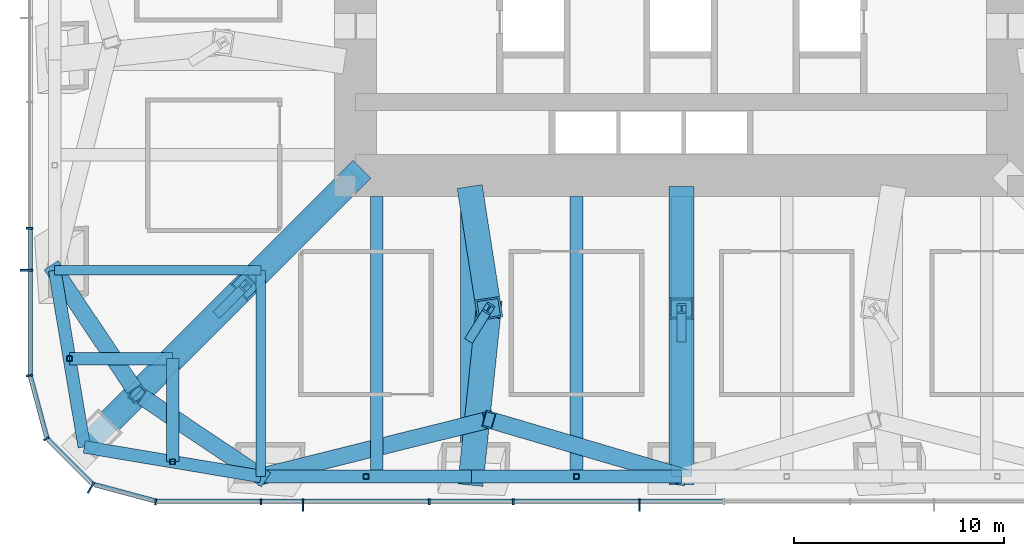
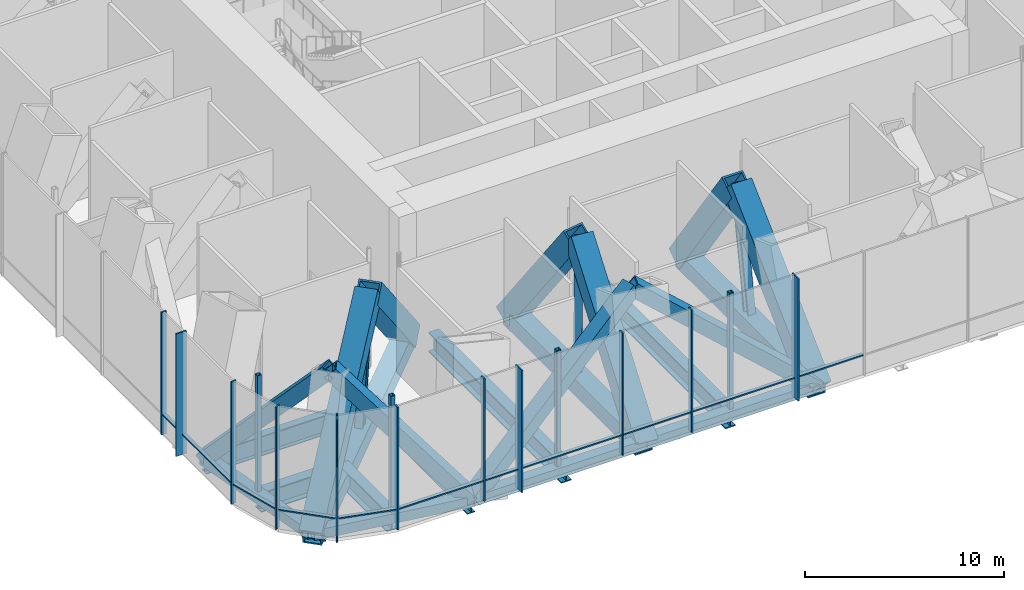
# One storey, part 2 of 20: 46 members, 6 beams, 3 elements without a shape of their own.
"""IFC4 building model written with IfcOpenShell, lengths in metres."""

import ifcopenshell
import ifcopenshell.guid

model = None  # the IFC model being written
_history = None  # IfcOwnerHistory: only IFC2X3 demands one
_inside = {}  # id of a spatial element -> (the spatial element, [elements in it])
_under = {}  # id of a project, library or spatial element -> (it, [spatial elements below it])
_declared = {}  # id of a project -> (the project, [libraries it declares])
_typed = {}  # id of a type object -> (the type object, [elements of that type])
_made_of = {}  # id of a material, layer set ... -> (it, [elements and type objects made of it])


def new_model(schema):
    """Start an empty IFC model of exactly this schema.

    Asked for "IFC4X3", IfcOpenShell would pick the latest addendum, in which some entities
    have other attributes; the version numbers below select the first issue.
    IFC2X3 requires an IfcOwnerHistory on every rooted entity: one is made here for all.
    """
    global model, _history
    if schema == "IFC4X3":
        model = ifcopenshell.file(schema_version=(4, 3, 0, 0))
    else:
        model = ifcopenshell.file(schema=schema)
    _inside.clear()
    _under.clear()
    _declared.clear()
    _typed.clear()
    _made_of.clear()
    _history = None
    if model.schema == "IFC2X3":
        org = make("IfcOrganization", Name="unknown")
        user = make(
            "IfcPersonAndOrganization",
            ThePerson=make("IfcPerson", FamilyName="unknown"),
            TheOrganization=org,
        )
        app = make(
            "IfcApplication",
            ApplicationDeveloper=org,
            Version="unknown",
            ApplicationFullName="unknown",
            ApplicationIdentifier="unknown",
        )
        _history = make(
            "IfcOwnerHistory",
            OwningUser=user,
            OwningApplication=app,
            ChangeAction="ADDED",
            CreationDate=0,
        )
    return model


def make(cls, **values):
    """One entity of the class cls with the attributes given. An attribute that is None is left unset."""
    return model.create_entity(
        cls, **{name: value for name, value in values.items() if value is not None}
    )


def rooted(cls, **values):
    """An entity with a GlobalId (a new one), such as an element, a storey or a relation."""
    return make(cls, GlobalId=ifcopenshell.guid.new(), OwnerHistory=_history, **values)


def si_unit(unit_type, name, prefix=None):
    """IfcSIUnit, for example si_unit("LENGTHUNIT", "METRE", prefix="MILLI")."""
    return make("IfcSIUnit", UnitType=unit_type, Prefix=prefix, Name=name)


def assignment(units):
    """IfcUnitAssignment: the units of a project."""
    return None if units is None else make("IfcUnitAssignment", Units=units)


def point(xyz):
    """IfcCartesianPoint."""
    return None if xyz is None else make("IfcCartesianPoint", Coordinates=xyz)


def direction(xyz):
    """IfcDirection."""
    return None if xyz is None else make("IfcDirection", DirectionRatios=xyz)


def frame(location, z_axis=None, x_axis=None):
    """IfcAxis2Placement3D, a coordinate frame: its origin and axes. An axis left out is left unset."""
    return make(
        "IfcAxis2Placement3D",
        Location=point(location),
        Axis=direction(z_axis),
        RefDirection=direction(x_axis),
    )


def frame_2d(location, x_axis=None):
    """IfcAxis2Placement2D, a coordinate frame in the plane: its origin and x axis."""
    return make(
        "IfcAxis2Placement2D", Location=point(location), RefDirection=direction(x_axis)
    )


def origin():
    """The frame at (0, 0, 0) with its axes left unset."""
    return frame((0.0, 0.0, 0.0))


def origin_2d():
    """The frame at (0, 0) in the plane with its x axis left unset."""
    return frame_2d((0.0, 0.0))


def place(relative_to, where):
    """IfcLocalPlacement: puts the frame where relative to a parent placement (None: the world)."""
    return make(
        "IfcLocalPlacement", PlacementRelTo=relative_to, RelativePlacement=where
    )


def context(
    kind, dimensions, precision=None, world=None, true_north=None, identifier=None
):
    """IfcGeometricRepresentationContext, for example the 3D "Model" context."""
    return make(
        "IfcGeometricRepresentationContext",
        ContextIdentifier=identifier,
        ContextType=kind,
        CoordinateSpaceDimension=dimensions,
        Precision=precision,
        WorldCoordinateSystem=world,
        TrueNorth=true_north,
    )


def subcontext(parent, identifier, kind, view, scale=None):
    """IfcGeometricRepresentationSubContext, for example "Body" below "Model"."""
    return make(
        "IfcGeometricRepresentationSubContext",
        ContextIdentifier=identifier,
        ContextType=kind,
        ParentContext=parent,
        TargetScale=scale,
        TargetView=view,
    )


def project(units=None, contexts=None):
    """IfcProject with its units and contexts."""
    return rooted(
        "IfcProject",
        Name="project",
        RepresentationContexts=contexts,
        UnitsInContext=assignment(units),
    )


def spatial(cls, under=None, at=None, **own):
    """A site, building, storey or space (cls), placed at a placement, below another one or the project."""
    s = rooted(cls, ObjectPlacement=at, **own)
    if under is not None:
        _under.setdefault(under.id(), (under, []))[1].append(s)
    return s


def profile(cls, at=None, kind="AREA", **sizes):
    """A parametric profile (cls). Its sizes go by their IFC names, for example OverallWidth=200.0."""
    return make(cls, ProfileType=kind, Position=at, **sizes)


def rectangle(**sizes):
    """IfcRectangleProfileDef."""
    return profile("IfcRectangleProfileDef", **sizes)


def hollow_rectangle(**sizes):
    """IfcRectangleHollowProfileDef."""
    return profile("IfcRectangleHollowProfileDef", **sizes)


def i_section(**sizes):
    """IfcIShapeProfileDef."""
    return profile("IfcIShapeProfileDef", **sizes)


def extrude(swept, where, along, depth):
    """IfcExtrudedAreaSolid: the profile swept, set in the frame where, extruded along a direction by depth."""
    return make(
        "IfcExtrudedAreaSolid",
        SweptArea=swept,
        Position=where,
        ExtrudedDirection=direction(along),
        Depth=depth,
    )


def shape(context_of_items, identifier, shape_type, items):
    """IfcShapeRepresentation: the items that make up one representation, for example the "Body"."""
    return make(
        "IfcShapeRepresentation",
        ContextOfItems=context_of_items,
        RepresentationIdentifier=identifier,
        RepresentationType=shape_type,
        Items=items,
    )


def material(Name=None, Category=None):
    """IfcMaterial."""
    return make("IfcMaterial", Name=Name, Category=Category)


def material_profile(
    of_material, cross_section, Name=None, Category=None, Priority=None
):
    """IfcMaterialProfile: a cross section and its material."""
    return make(
        "IfcMaterialProfile",
        Name=Name,
        Material=of_material,
        Profile=cross_section,
        Priority=Priority,
        Category=Category,
    )


def profile_set(profiles, Name=None, composite=None):
    """IfcMaterialProfileSet."""
    return make(
        "IfcMaterialProfileSet",
        Name=Name,
        MaterialProfiles=profiles,
        CompositeProfile=composite,
    )


def made_of(thing, what):
    """Note that an element or type object is made of a material, layer set ...; save() writes the relation."""
    if what is not None:
        _made_of.setdefault(what.id(), (what, []))[1].append(thing)
    return thing


def type_object(cls, material=None, **own):
    """A type object (cls), such as IfcWallType, which elements share."""
    return made_of(rooted(cls, **own), material)


def element(
    cls,
    number,
    at=None,
    inside=None,
    cuts=None,
    type_object=None,
    material=None,
    context=None,
    identifier="Body",
    shape_type=None,
    held_by="IfcProductDefinitionShape",
    body=None,
    shapes=None,
    **own,
):
    """One element of the class cls, such as IfcWall. Its Tag is "e" and its number.

    at: its placement. inside: the storey or other place that contains it. cuts: it is an
    opening in that element (IfcRelVoidsElement). A single representation is given by context,
    identifier, shape_type and body (its items); several are given by shapes. held_by: the class
    of the entity that holds the representations. save() writes the other relations.
    """
    e = rooted(cls, Tag="e%d" % number, ObjectPlacement=at, **own)
    if body is not None:
        shapes = [shape(context, identifier, shape_type, body)]
    if shapes is not None:
        e.Representation = make(held_by, Representations=shapes)
    if inside is not None:
        _inside.setdefault(inside.id(), (inside, []))[1].append(e)
    if cuts is not None:
        rooted(
            "IfcRelVoidsElement", RelatingBuildingElement=cuts, RelatedOpeningElement=e
        )
    if type_object is not None:
        _typed.setdefault(type_object.id(), (type_object, []))[1].append(e)
    return made_of(e, material)


def aggregate(whole, parts):
    """IfcRelAggregates: a whole, such as a stair, and the parts it consists of."""
    return rooted("IfcRelAggregates", RelatingObject=whole, RelatedObjects=parts)


def save(model, path):
    """Write the relations noted so far, then the file.

    IfcRelAggregates (storeys below a building ...), IfcRelContainedInSpatialStructure (elements
    in a storey), IfcRelDefinesByType, IfcRelAssociatesMaterial and IfcRelDeclares: one each for
    every whole, place, type object, material and project.
    """
    for whole, parts in _under.values():
        aggregate(whole, parts)
    for where, things in _inside.values():
        rooted(
            "IfcRelContainedInSpatialStructure",
            RelatedElements=things,
            RelatingStructure=where,
        )
    for kind, things in _typed.values():
        rooted("IfcRelDefinesByType", RelatedObjects=things, RelatingType=kind)
    for what, things in _made_of.values():
        rooted("IfcRelAssociatesMaterial", RelatedObjects=things, RelatingMaterial=what)
    for by, libraries in _declared.values():
        rooted("IfcRelDeclares", RelatingContext=by, RelatedDefinitions=libraries)
    model.write(path)


model = new_model("IFC4")

# Units and contexts
model_context = context("Model", 3, precision=1e-05, world=origin(), true_north=direction((0.0, 1.0)))
body_context = subcontext(model_context, "Body", "Model", "MODEL_VIEW")
ifc_project = project(units=[si_unit("LENGTHUNIT", "METRE"), si_unit("AREAUNIT", "SQUARE_METRE"), si_unit("VOLUMEUNIT", "CUBIC_METRE"), si_unit("PLANEANGLEUNIT", "RADIAN"), si_unit("MASSUNIT", "GRAM", prefix="KILO")], contexts=[model_context])

# Site, building, storey
site_placement = place(None, origin())
site = spatial("IfcSite", under=ifc_project, at=site_placement, CompositionType="ELEMENT")
building_placement = place(site_placement, origin())
building = spatial("IfcBuilding", under=site, at=building_placement, Name="Khuree Lantern Residences", CompositionType="ELEMENT")
storey_placement = place(building_placement, frame((0.0, 0.0, 99.75)))
storey = spatial("IfcBuildingStorey", under=building, at=storey_placement, Name="L25", CompositionType="ELEMENT", Elevation=99.75)

# Beams
ifc_material_1 = material(Name="Steel S355", Category="steel")
ifc_material_profile_1 = material_profile(ifc_material_1, i_section(OverallWidth=0.60009765625, OverallDepth=1.199951171875, WebThickness=0.030029296875, FlangeThickness=0.06005859375, at=origin_2d()), Name="WELDED I 1200X600X30X60")
ifc_profile_set_1 = profile_set([ifc_material_profile_1], Name="Steel S355")
beam_type_1 = type_object("IfcBeamType", Name="B-25 SECONDARY BEAM WELDED I 1200X600X30X60", PredefinedType="BEAM", material=ifc_profile_set_1)
for number, where, z_axis, x_axis, name in (
    (1, (-5.0, -29.800048828125, -0.949951171875), (0.0, 1.0, 0.0), (-1.0, 0.0, 0.0), "Secondary beam S4"),
    (2, (-14.5, -29.800048828125, -0.949951171875), (0.0, 1.0, 0.0), (-1.0, 0.0, 0.0), "Secondary beam S5"),
):
    element("IfcBeam", number, at=place(storey_placement, frame(where, z_axis=z_axis, x_axis=x_axis)), inside=storey, type_object=beam_type_1, Name=name, PredefinedType="BEAM", context=body_context, shape_type="SweptSolid", body=[
        extrude(i_section(OverallWidth=0.60009765625, OverallDepth=1.199951171875, WebThickness=0.030029296875, FlangeThickness=0.06005859375, at=origin_2d()), origin(), (0.0, 0.0, 1.0), 13.300048828125),
    ])
for number, where, z_axis, x_axis, name in (
    (3, (-24.197021484375, -29.09716796875, -0.949951171875), (0.0, 1.0, 0.0), (-1.0, 0.0, 0.0), "Secondary beam S6"),
    (4, (-29.09716796875, -24.197021484375, -0.949951171875), (1.0, 0.0, 0.0), (0.0, 1.0, 0.0), "Secondary beam W1"),
):
    element("IfcBeam", number, at=place(storey_placement, frame(where, z_axis=z_axis, x_axis=x_axis)), inside=storey, type_object=beam_type_1, Name=name, PredefinedType="BEAM", context=body_context, shape_type="SweptSolid", body=[
        extrude(i_section(OverallWidth=0.60009765625, OverallDepth=1.199951171875, WebThickness=0.030029296875, FlangeThickness=0.06005859375, at=origin_2d()), origin(), (0.0, 0.0, 1.0), 4.900146484375),
    ])

# Members
ifc_material_profile_2 = material_profile(ifc_material_1, hollow_rectangle(XDim=0.800048828125, YDim=0.800048828125, WallThickness=0.070068359375, at=origin_2d()), Name="WELDED BOX 800X800X70")
ifc_profile_set_2 = profile_set([ifc_material_profile_2], Name="Steel S355")
member_type_1 = type_object("IfcMemberType", Name="BD-25 BELT TRUSS DIAGONAL WELDED BOX 800X800X70", PredefinedType="BRACE", material=ifc_profile_set_2)
member_1_placement = place(storey_placement, frame((0.0, -29.800048828125, -0.64990234375), z_axis=(-0.750531400006, 0.22122462626, 0.622705614509), x_axis=(-0.282731000098, -0.959199239774, 0.0)))
element("IfcMember", 5, at=member_1_placement, inside=storey, type_object=member_type_1, Name="Belt truss diagonal S4", PredefinedType="BRACE", context=body_context, shape_type="SweptSolid", body=[
    extrude(hollow_rectangle(XDim=0.800048828125, YDim=0.800048828125, WallThickness=0.070068359375, at=origin_2d()), origin(), (0.0, 0.0, 1.0), 12.20458984375),
])
member_2_placement = place(storey_placement, frame((-9.159912109375, -27.10009765625, 6.949951171875), z_axis=(-0.802298387089, -0.199829234991, -0.562481621849), x_axis=(0.241687069936, -0.970354244709, 0.0)))
element("IfcMember", 6, at=member_2_placement, inside=storey, type_object=member_type_1, Name="Belt truss diagonal S5", PredefinedType="BRACE", context=body_context, shape_type="SweptSolid", body=[
    extrude(hollow_rectangle(XDim=0.800048828125, YDim=0.800048828125, WallThickness=0.070068359375, at=origin_2d()), origin(), (0.0, 0.0, 1.0), 13.51123046875),
])
for number, where, z_axis, x_axis, name in (
    (7, (-20.0, -29.800048828125, -0.64990234375), (-0.565721390777, 0.378778977196, 0.732451905897), (-0.556358006907, -0.830942698476, 0.0), "Belt truss diagonal S6"),
    (8, (-25.869873046875, -25.869873046875, 6.949951171875), (-0.378778977196, 0.565721390777, -0.732451905897), (-0.830942698476, -0.556358006907, 0.0), "Belt truss diagonal W1"),
):
    element("IfcMember", number, at=place(storey_placement, frame(where, z_axis=z_axis, x_axis=x_axis)), inside=storey, type_object=member_type_1, Name=name, PredefinedType="BRACE", context=body_context, shape_type="SweptSolid", body=[
        extrude(hollow_rectangle(XDim=0.800048828125, YDim=0.800048828125, WallThickness=0.070068359375, at=origin_2d()), origin(), (0.0, 0.0, 1.0), 10.3759765625),
    ])
ifc_material_profile_3 = material_profile(ifc_material_1, hollow_rectangle(XDim=0.60009765625, YDim=0.60009765625, WallThickness=0.050048828125, at=origin_2d()), Name="WELDED BOX 600X600X50")
ifc_profile_set_3 = profile_set([ifc_material_profile_3], Name="Steel S355")
member_type_2 = type_object("IfcMemberType", Name="BT-25 BELT TRUSS CHORD WELDED BOX 600X600X50", PredefinedType="CHORD", material=ifc_profile_set_3)
for number, where, z_axis, x_axis, name in (
    (9, (0.0, -29.800048828125, -0.64990234375), (-1.0, 0.0, 0.0), (0.0, -1.0, 0.0), "Belt truss chord S4"),
    (10, (-10.0, -29.800048828125, -0.64990234375), (-1.0, 0.0, 0.0), (0.0, -1.0, 0.0), "Belt truss chord S5"),
):
    element("IfcMember", number, at=place(storey_placement, frame(where, z_axis=z_axis, x_axis=x_axis)), inside=storey, type_object=member_type_2, Name=name, PredefinedType="CHORD", context=body_context, shape_type="SweptSolid", body=[
        extrude(hollow_rectangle(XDim=0.60009765625, YDim=0.60009765625, WallThickness=0.050048828125, at=origin_2d()), origin(), (0.0, 0.0, 1.0), 10.0),
    ])
for number, where, z_axis, x_axis, name in (
    (11, (-20.0, -29.800048828125, -0.64990234375), (-0.986260251158, 0.165199022349, 0.0), (-0.165199022349, -0.986260251158, 0.0), "Belt truss chord S6"),
    (12, (-28.39404296875, -28.39404296875, -0.64990234375), (-0.165199022349, 0.986260251158, 0.0), (-0.986260251158, -0.165199022349, 0.0), "Belt truss chord W1"),
):
    element("IfcMember", number, at=place(storey_placement, frame(where, z_axis=z_axis, x_axis=x_axis)), inside=storey, type_object=member_type_2, Name=name, PredefinedType="CHORD", context=body_context, shape_type="SweptSolid", body=[
        extrude(hollow_rectangle(XDim=0.60009765625, YDim=0.60009765625, WallThickness=0.050048828125, at=origin_2d()), origin(), (0.0, 0.0, 1.0), 8.510986328125),
    ])

# Curtain wall, member
ifc_material_2 = material(Name="Bronze anodised aluminium", Category="aluminium")
curtain_wall_type = type_object("IfcCurtainWallType", Name="CW-G PLANT STOREY LOUVRED CURTAIN WALL", PredefinedType="USERDEFINED", material=ifc_material_2)
curtain_wall_1_placement = place(storey_placement, origin())
curtain_wall_1 = element("IfcCurtainWall", 13, at=curtain_wall_1_placement, inside=storey, type_object=curtain_wall_type, Name="L25 WEST FACE CURTAIN WALL", ObjectType="Louvred curtain wall", PredefinedType="USERDEFINED")
ifc_material_profile_4 = material_profile(ifc_material_2, rectangle(XDim=0.080078125, YDim=0.60009765625, at=origin_2d()), Name="F2 80X600")
ifc_profile_set_4 = profile_set([ifc_material_profile_4], Name="Bronze anodised aluminium")
member_type_3 = type_object("IfcMemberType", Name="F2 BRONZE FIN MULLION PLANT 80X600", PredefinedType="MULLION", material=ifc_profile_set_4)
member_3_placement = place(storey_placement, frame((-31.14990234375, -20.0, 0.0), z_axis=(0.0, 0.0, 1.0), x_axis=(0.0, -1.0, 0.0)))
member_3 = element("IfcMember", 14, at=member_3_placement, type_object=member_type_3, Name="L25 WEST FACE FIN MULLION 42", PredefinedType="MULLION", context=body_context, shape_type="SweptSolid", body=[
    extrude(rectangle(XDim=0.080078125, YDim=0.60009765625, at=origin_2d()), origin(), (0.0, 0.0, 1.0), 7.5),
])

curtain_wall_2_placement = place(storey_placement, origin())
curtain_wall_2 = element("IfcCurtainWall", 15, at=curtain_wall_2_placement, inside=storey, type_object=curtain_wall_type, Name="L25 SOUTH-WEST CORNER CURTAIN WALL", ObjectType="Louvred curtain wall", PredefinedType="USERDEFINED")
member_4_placement = place(storey_placement, frame((-28.074951171875, -30.326171875, 0.0), z_axis=(0.0, 0.0, 1.0), x_axis=(0.86602537092, -0.500000056923, 0.0)))
member_4 = element("IfcMember", 16, at=member_4_placement, type_object=member_type_3, Name="L25 SOUTH-WEST CORNER FIN MULLION 45", PredefinedType="MULLION", context=body_context, shape_type="SweptSolid", body=[
    extrude(rectangle(XDim=0.080078125, YDim=0.60009765625, at=origin_2d()), origin(), (0.0, 0.0, 1.0), 7.5),
])

# Curtain wall, members
curtain_wall_3_placement = place(storey_placement, origin())
curtain_wall_3 = element("IfcCurtainWall", 17, at=curtain_wall_3_placement, inside=storey, type_object=curtain_wall_type, Name="L25 SOUTH FACE CURTAIN WALL", ObjectType="Louvred curtain wall", PredefinedType="USERDEFINED")
member_5_placement = place(storey_placement, frame((-18.0, -31.14990234375, 0.0), z_axis=(0.0, 0.0, 1.0), x_axis=(1.0, 0.0, 0.0)))
member_5 = element("IfcMember", 18, at=member_5_placement, type_object=member_type_3, Name="L25 SOUTH FACE FIN MULLION 48", PredefinedType="MULLION", context=body_context, shape_type="SweptSolid", body=[
    extrude(rectangle(XDim=0.080078125, YDim=0.60009765625, at=origin_2d()), origin(), (0.0, 0.0, 1.0), 7.5),
])
member_6_placement = place(storey_placement, frame((-2.0, -31.14990234375, 0.0), z_axis=(0.0, 0.0, 1.0), x_axis=(1.0, 0.0, 0.0)))
member_6 = element("IfcMember", 19, at=member_6_placement, type_object=member_type_3, Name="L25 SOUTH FACE FIN MULLION 51", PredefinedType="MULLION", context=body_context, shape_type="SweptSolid", body=[
    extrude(rectangle(XDim=0.080078125, YDim=0.60009765625, at=origin_2d()), origin(), (0.0, 0.0, 1.0), 7.5),
])

# Beams
ifc_material_profile_5 = material_profile(ifc_material_1, i_section(OverallWidth=0.449951171875, OverallDepth=1.199951171875, WebThickness=0.02490234375, FlangeThickness=0.044921875, at=origin_2d()), Name="WELDED I 1200X450X25X45")
ifc_profile_set_5 = profile_set([ifc_material_profile_5], Name="Steel S355")
beam_type_2 = type_object("IfcBeamType", Name="G-25 GIRDER WELDED I 1200X450X25X45", PredefinedType="BEAM", material=ifc_profile_set_5)
for number, where, z_axis, x_axis, name in (
    (20, (-20.0, -29.800048828125, -0.949951171875), (0.0, 1.0, 0.0), (-1.0, 0.0, 0.0), "Girder S5"),
    (21, (-29.800048828125, -20.0, -0.949951171875), (1.0, 0.0, 0.0), (0.0, 1.0, 0.0), "Girder W1"),
):
    element("IfcBeam", number, at=place(storey_placement, frame(where, z_axis=z_axis, x_axis=x_axis)), inside=storey, type_object=beam_type_2, Name=name, PredefinedType="BEAM", context=body_context, shape_type="SweptSolid", body=[
        extrude(i_section(OverallWidth=0.449951171875, OverallDepth=1.199951171875, WebThickness=0.02490234375, FlangeThickness=0.044921875, at=origin_2d()), origin(), (0.0, 0.0, 1.0), 9.800048828125),
    ])

# Member
ifc_material_profile_6 = material_profile(ifc_material_2, rectangle(XDim=0.080078125, YDim=0.300048828125, at=origin_2d()), Name="M2 80X300")
ifc_profile_set_6 = profile_set([ifc_material_profile_6], Name="Bronze anodised aluminium")
member_type_4 = type_object("IfcMemberType", Name="MULLION M2 PLANT 80X300", PredefinedType="MULLION", material=ifc_profile_set_6)
member_7_placement = place(storey_placement, frame((-31.0, -18.0, 0.0), z_axis=(0.0, 0.0, 1.0), x_axis=(0.0, -1.0, 0.0)))
member_7 = element("IfcMember", 22, at=member_7_placement, type_object=member_type_4, Name="L25 WEST FACE MULLION 41", PredefinedType="MULLION", context=body_context, shape_type="SweptSolid", body=[
    extrude(rectangle(XDim=0.080078125, YDim=0.300048828125, at=origin_2d()), origin(), (0.0, 0.0, 1.0), 7.5),
])

member_8_placement = place(storey_placement, frame((-31.00146484375, -25.000244140625, 0.0), z_axis=(0.0, 0.0, 1.0), x_axis=(0.130526257387, -0.991444852794, 0.0)))
member_8 = element("IfcMember", 23, at=member_8_placement, type_object=member_type_4, Name="L25 SOUTH-WEST CORNER MULLION 43", PredefinedType="MULLION", context=body_context, shape_type="SweptSolid", body=[
    extrude(rectangle(XDim=0.080078125, YDim=0.300048828125, at=origin_2d()), origin(), (0.0, 0.0, 1.0), 7.5),
])

member_9_placement = place(storey_placement, frame((-30.196044921875, -28.0, 0.0), z_axis=(0.0, 0.0, 1.0), x_axis=(0.500000056923, -0.86602537092, 0.0)))
member_9 = element("IfcMember", 24, at=member_9_placement, type_object=member_type_4, Name="L25 SOUTH-WEST CORNER MULLION 44", PredefinedType="MULLION", context=body_context, shape_type="SweptSolid", body=[
    extrude(rectangle(XDim=0.080078125, YDim=0.300048828125, at=origin_2d()), origin(), (0.0, 0.0, 1.0), 7.5),
])

member_10_placement = place(storey_placement, frame((-25.000244140625, -31.00146484375, 0.0), z_axis=(0.0, 0.0, 1.0), x_axis=(0.991444852794, -0.130526257387, 0.0)))
member_10 = element("IfcMember", 25, at=member_10_placement, type_object=member_type_4, Name="L25 SOUTH FACE MULLION 46", PredefinedType="MULLION", context=body_context, shape_type="SweptSolid", body=[
    extrude(rectangle(XDim=0.080078125, YDim=0.300048828125, at=origin_2d()), origin(), (0.0, 0.0, 1.0), 7.5),
])

member_11_placement = place(storey_placement, frame((-20.0, -31.0, 0.0), z_axis=(0.0, 0.0, 1.0), x_axis=(1.0, 0.0, 0.0)))
member_11 = element("IfcMember", 26, at=member_11_placement, type_object=member_type_4, Name="L25 SOUTH FACE MULLION 47", PredefinedType="MULLION", context=body_context, shape_type="SweptSolid", body=[
    extrude(rectangle(XDim=0.080078125, YDim=0.300048828125, at=origin_2d()), origin(), (0.0, 0.0, 1.0), 7.5),
])

member_12_placement = place(storey_placement, frame((-12.0, -31.0, 0.0), z_axis=(0.0, 0.0, 1.0), x_axis=(1.0, 0.0, 0.0)))
member_12 = element("IfcMember", 27, at=member_12_placement, type_object=member_type_4, Name="L25 SOUTH FACE MULLION 49", PredefinedType="MULLION", context=body_context, shape_type="SweptSolid", body=[
    extrude(rectangle(XDim=0.080078125, YDim=0.300048828125, at=origin_2d()), origin(), (0.0, 0.0, 1.0), 7.5),
])

member_13_placement = place(storey_placement, frame((-8.0, -31.0, 0.0), z_axis=(0.0, 0.0, 1.0), x_axis=(1.0, 0.0, 0.0)))
member_13 = element("IfcMember", 28, at=member_13_placement, type_object=member_type_4, Name="L25 SOUTH FACE MULLION 50", PredefinedType="MULLION", context=body_context, shape_type="SweptSolid", body=[
    extrude(rectangle(XDim=0.080078125, YDim=0.300048828125, at=origin_2d()), origin(), (0.0, 0.0, 1.0), 7.5),
])

# Members
ifc_material_profile_7 = material_profile(ifc_material_1, hollow_rectangle(XDim=1.199951171875, YDim=1.199951171875, WallThickness=0.10009765625, at=origin_2d()), Name="WELDED BOX 1200X1200X100")
ifc_profile_set_7 = profile_set([ifc_material_profile_7], Name="Steel S355")
member_type_5 = type_object("IfcMemberType", Name="OD-25 OUTRIGGER TRUSS DIAGONAL WELDED BOX 1200X1200X100", PredefinedType="BRACE", material=ifc_profile_set_7)
member_14_placement = place(storey_placement, frame((-15.5, -15.5, -0.85009765625), z_axis=(-0.493384393835, -0.493384393835, 0.716340477594), x_axis=(0.707106781187, -0.707106781187, 0.0)))
element("IfcMember", 29, at=member_14_placement, inside=storey, type_object=member_type_5, Name="Outrigger diagonal SW core side", PredefinedType="BRACE", context=body_context, shape_type="SweptSolid", body=[
    extrude(hollow_rectangle(XDim=1.199951171875, YDim=1.199951171875, WallThickness=0.10009765625, at=origin_2d()), origin(), (0.0, 0.0, 1.0), 10.609619140625),
])
member_15_placement = place(storey_placement, frame((-20.734619140625, -20.734619140625, 6.75), z_axis=(-0.578840874026, -0.578840874026, -0.57435745413), x_axis=(0.707106781187, -0.707106781187, 0.0)))
element("IfcMember", 30, at=member_15_placement, inside=storey, type_object=member_type_5, Name="Outrigger diagonal SW column side", PredefinedType="BRACE", context=body_context, shape_type="SweptSolid", body=[
    extrude(hollow_rectangle(XDim=1.199951171875, YDim=1.199951171875, WallThickness=0.10009765625, at=origin_2d()), origin(), (0.0, 0.0, 1.0), 13.232421875),
])
member_16_placement = place(storey_placement, frame((0.0, -16.5, -0.85009765625), z_axis=(0.0, -0.573303353391, 0.819343191215), x_axis=(1.0, 0.0, 0.0)))
element("IfcMember", 31, at=member_16_placement, inside=storey, type_object=member_type_5, Name="Outrigger diagonal S3 core side", PredefinedType="BRACE", context=body_context, shape_type="SweptSolid", body=[
    extrude(hollow_rectangle(XDim=1.199951171875, YDim=1.199951171875, WallThickness=0.10009765625, at=origin_2d()), origin(), (0.0, 0.0, 1.0), 9.27587890625),
])
member_17_placement = place(storey_placement, frame((0.0, -21.81787109375, 6.75), z_axis=(0.0, -0.724227477195, -0.689561136721), x_axis=(1.0, 0.0, 0.0)))
element("IfcMember", 32, at=member_17_placement, inside=storey, type_object=member_type_5, Name="Outrigger diagonal S3 column side", PredefinedType="BRACE", context=body_context, shape_type="SweptSolid", body=[
    extrude(hollow_rectangle(XDim=1.199951171875, YDim=1.199951171875, WallThickness=0.10009765625, at=origin_2d()), origin(), (0.0, 0.0, 1.0), 11.021728515625),
])
member_18_placement = place(storey_placement, frame((-10.0, -16.5, -0.85009765625), z_axis=(0.089001957603, -0.571028170987, 0.81609158768), x_axis=(0.988070340998, 0.154003250743, 0.0)))
element("IfcMember", 33, at=member_18_placement, inside=storey, type_object=member_type_5, Name="Outrigger diagonal S4 core side", PredefinedType="BRACE", context=body_context, shape_type="SweptSolid", body=[
    extrude(hollow_rectangle(XDim=1.199951171875, YDim=1.199951171875, WallThickness=0.10009765625, at=origin_2d()), origin(), (0.0, 0.0, 1.0), 9.312744140625),
])
member_19_placement = place(storey_placement, frame((-9.171142578125, -21.81787109375, 6.75), z_axis=(-0.074990945606, -0.722188208122, -0.687619480619), x_axis=(0.994651991951, -0.103283178244, 0.0)))
element("IfcMember", 34, at=member_19_placement, inside=storey, type_object=member_type_5, Name="Outrigger diagonal S4 column side", PredefinedType="BRACE", context=body_context, shape_type="SweptSolid", body=[
    extrude(hollow_rectangle(XDim=1.199951171875, YDim=1.199951171875, WallThickness=0.10009765625, at=origin_2d()), origin(), (0.0, 0.0, 1.0), 11.052734375),
])
ifc_material_profile_8 = material_profile(ifc_material_1, i_section(OverallWidth=0.431884765625, OverallDepth=0.498046875, WebThickness=0.0556640625, FlangeThickness=0.0888671875, FilletRadius=0.014892578125, at=origin_2d()), Name="HD 400X744")
ifc_profile_set_8 = profile_set([ifc_material_profile_8], Name="Steel S355")
member_type_6 = type_object("IfcMemberType", Name="OP-25 OUTRIGGER TRUSS POST HD 400X744", PredefinedType="POST", material=ifc_profile_set_8)
member_20_placement = place(storey_placement, frame((-21.947021484375, -21.947021484375, -0.85009765625), z_axis=(0.155613649455, 0.155613649455, 0.975483871833), x_axis=(-0.707106781187, 0.707106781187, 0.0)))
element("IfcMember", 35, at=member_20_placement, inside=storey, type_object=member_type_6, Name="Outrigger post SW", PredefinedType="POST", context=body_context, shape_type="SweptSolid", body=[
    extrude(i_section(OverallWidth=0.431884765625, OverallDepth=0.498046875, WebThickness=0.0556640625, FlangeThickness=0.0888671875, FilletRadius=0.014892578125, at=origin_2d()), origin(), (0.0, 0.0, 1.0), 7.791015625),
])
member_21_placement = place(storey_placement, frame((0.0, -23.14990234375, -0.85009765625), z_axis=(0.0, 0.172633608015, 0.984986110249), x_axis=(-1.0, 0.0, 0.0)))
element("IfcMember", 36, at=member_21_placement, inside=storey, type_object=member_type_6, Name="Outrigger post S3", PredefinedType="POST", context=body_context, shape_type="SweptSolid", body=[
    extrude(i_section(OverallWidth=0.431884765625, OverallDepth=0.498046875, WebThickness=0.0556640625, FlangeThickness=0.0888671875, FilletRadius=0.014892578125, at=origin_2d()), origin(), (0.0, 0.0, 1.0), 7.716064453125),
])
member_22_placement = place(storey_placement, frame((-10.0, -23.14990234375, -0.85009765625), z_axis=(0.106806915278, 0.171646105966, 0.979351773958), x_axis=(-0.849045745314, 0.528319337489, 0.0)))
element("IfcMember", 37, at=member_22_placement, inside=storey, type_object=member_type_6, Name="Outrigger post S4", PredefinedType="POST", context=body_context, shape_type="SweptSolid", body=[
    extrude(i_section(OverallWidth=0.431884765625, OverallDepth=0.498046875, WebThickness=0.0556640625, FlangeThickness=0.0888671875, FilletRadius=0.014892578125, at=origin_2d()), origin(), (0.0, 0.0, 1.0), 7.76025390625),
])
ifc_material_profile_9 = material_profile(ifc_material_1, hollow_rectangle(XDim=1.0, YDim=1.0, WallThickness=0.080078125, at=origin_2d()), Name="WELDED BOX 1000X1000X80")
ifc_profile_set_9 = profile_set([ifc_material_profile_9], Name="Steel S355")
member_type_7 = type_object("IfcMemberType", Name="OT-25 OUTRIGGER TRUSS CHORD WELDED BOX 1000X1000X80", PredefinedType="CHORD", material=ifc_profile_set_9)
for number, where, z_axis, x_axis, name in (
    (38, (0.0, -29.800048828125, -0.85009765625), (0.0, 1.0, 0.0), (-1.0, 0.0, 0.0), "Outrigger chord S3"),
    (39, (-10.0, -29.800048828125, -0.85009765625), (0.0, 1.0, 0.0), (-1.0, 0.0, 0.0), "Outrigger chord S4"),
):
    element("IfcMember", number, at=place(storey_placement, frame(where, z_axis=z_axis, x_axis=x_axis)), inside=storey, type_object=member_type_7, Name=name, PredefinedType="CHORD", context=body_context, shape_type="SweptSolid", body=[
        extrude(hollow_rectangle(XDim=1.0, YDim=1.0, WallThickness=0.080078125, at=origin_2d()), origin(), (0.0, 0.0, 1.0), 13.300048828125),
    ])
member_23_placement = place(storey_placement, frame((-28.39404296875, -28.39404296875, -0.85009765625), z_axis=(0.707106781187, 0.707106781187, 0.0), x_axis=(-0.707106781187, 0.707106781187, 0.0)))
element("IfcMember", 40, at=member_23_placement, inside=storey, type_object=member_type_7, Name="Outrigger chord SW", PredefinedType="CHORD", context=body_context, shape_type="SweptSolid", body=[
    extrude(hollow_rectangle(XDim=1.0, YDim=1.0, WallThickness=0.080078125, at=origin_2d()), origin(), (0.0, 0.0, 1.0), 18.23486328125),
])
ifc_material_profile_10 = material_profile(ifc_material_1, hollow_rectangle(XDim=0.25, YDim=0.25, WallThickness=0.012451171875, InnerFilletRadius=0.012451171875, OuterFilletRadius=0.018798828125, at=origin_2d()), Name="SHS 250X250X12.5")
ifc_profile_set_10 = profile_set([ifc_material_profile_10], Name="Steel S355")
member_type_8 = type_object("IfcMemberType", Name="TP1 TERRACE POST SHS 250X250X12.5", PredefinedType="POST", material=ifc_profile_set_10)
for number, where, z_axis, x_axis, name in (
    (41, (-5.0, -29.800048828125, -0.35009765625), (0.0, 0.0, 1.0), (1.0, 0.0, 0.0), "Terrace post S4"),
    (42, (-15.0, -29.800048828125, -0.35009765625), (0.0, 0.0, 1.0), (1.0, 0.0, 0.0), "Terrace post S5"),
    (43, (-24.197021484375, -29.09716796875, -0.35009765625), (0.0, 0.0, 1.0), (1.0, 0.0, 0.0), "Terrace post S6"),
    (44, (-29.09716796875, -24.197021484375, -0.35009765625), (0.0, 0.0, 1.0), (1.0, 0.0, 0.0), "Terrace post W1"),
):
    element("IfcMember", number, at=place(storey_placement, frame(where, z_axis=z_axis, x_axis=x_axis)), inside=storey, type_object=member_type_8, Name=name, PredefinedType="POST", context=body_context, shape_type="SweptSolid", body=[
        extrude(hollow_rectangle(XDim=0.25, YDim=0.25, WallThickness=0.012451171875, InnerFilletRadius=0.012451171875, OuterFilletRadius=0.018798828125, at=origin_2d()), origin(), (0.0, 0.0, 1.0), 7.10009765625),
    ])

# Member
ifc_material_profile_11 = material_profile(ifc_material_2, rectangle(XDim=0.219970703125, YDim=0.080078125, at=origin_2d()), Name="T2 220X80")
ifc_profile_set_11 = profile_set([ifc_material_profile_11], Name="Bronze anodised aluminium")
member_type_9 = type_object("IfcMemberType", Name="TRANSOM T2 PLANT 220X80", PredefinedType="USERDEFINED", material=ifc_profile_set_11)
member_24_placement = place(storey_placement, frame((-30.969970703125, -18.0400390625, 1.199951171875), z_axis=(0.0, -1.0, 0.0), x_axis=(1.0, 0.0, 0.0)))
member_24 = element("IfcMember", 45, at=member_24_placement, type_object=member_type_9, Name="L25 WEST FACE TRANSOM 41.1", ObjectType="Transom", PredefinedType="USERDEFINED", context=body_context, shape_type="SweptSolid", body=[
    extrude(rectangle(XDim=0.219970703125, YDim=0.080078125, at=origin_2d()), origin(), (0.0, 0.0, 1.0), 1.919921875),
])

member_25_placement = place(storey_placement, frame((-30.969970703125, -20.0400390625, 1.199951171875), z_axis=(0.0, -1.0, 0.0), x_axis=(1.0, 0.0, 0.0)))
member_25 = element("IfcMember", 46, at=member_25_placement, type_object=member_type_9, Name="L25 WEST FACE TRANSOM 42.1", ObjectType="Transom", PredefinedType="USERDEFINED", context=body_context, shape_type="SweptSolid", body=[
    extrude(rectangle(XDim=0.219970703125, YDim=0.080078125, at=origin_2d()), origin(), (0.0, 0.0, 1.0), 4.901123046875),
])

aggregate(curtain_wall_1, [member_7, member_3, member_24, member_25])

member_26_placement = place(storey_placement, frame((-30.955810546875, -25.049072265625, 1.199951171875), z_axis=(0.258808684976, -0.965928602217, 0.0), x_axis=(0.965928602217, 0.258808684976, 0.0)))
member_26 = element("IfcMember", 47, at=member_26_placement, type_object=member_type_9, Name="L25 SOUTH-WEST CORNER TRANSOM 43.1", ObjectType="Transom", PredefinedType="USERDEFINED", context=body_context, shape_type="SweptSolid", body=[
    extrude(rectangle(XDim=0.219970703125, YDim=0.080078125, at=origin_2d()), origin(), (0.0, 0.0, 1.0), 2.969482421875),
])

member_27_placement = place(storey_placement, frame((-30.1201171875, -28.033447265625, 1.199951171875), z_axis=(0.707106781187, -0.707106781187, 0.0), x_axis=(0.707106781187, 0.707106781187, 0.0)))
member_27 = element("IfcMember", 48, at=member_27_placement, type_object=member_type_9, Name="L25 SOUTH-WEST CORNER TRANSOM 44.1", ObjectType="Transom", PredefinedType="USERDEFINED", context=body_context, shape_type="SweptSolid", body=[
    extrude(rectangle(XDim=0.219970703125, YDim=0.080078125, at=origin_2d()), origin(), (0.0, 0.0, 1.0), 2.950927734375),
])

member_28_placement = place(storey_placement, frame((-27.91748046875, -30.187255859375, 1.199951171875), z_axis=(0.965928602217, -0.258808684976, 0.0), x_axis=(0.258808684976, 0.965928602217, 0.0)))
member_28 = element("IfcMember", 49, at=member_28_placement, type_object=member_type_9, Name="L25 SOUTH-WEST CORNER TRANSOM 45.1", ObjectType="Transom", PredefinedType="USERDEFINED", context=body_context, shape_type="SweptSolid", body=[
    extrude(rectangle(XDim=0.219970703125, YDim=0.080078125, at=origin_2d()), origin(), (0.0, 0.0, 1.0), 2.969482421875),
])

aggregate(curtain_wall_2, [member_8, member_9, member_4, member_26, member_27, member_28])

member_29_placement = place(storey_placement, frame((-24.941162109375, -30.969970703125, 1.199951171875), z_axis=(1.0, 0.0, 0.0), x_axis=(0.0, 1.0, 0.0)))
member_29 = element("IfcMember", 50, at=member_29_placement, type_object=member_type_9, Name="L25 SOUTH FACE TRANSOM 46.1", ObjectType="Transom", PredefinedType="USERDEFINED", context=body_context, shape_type="SweptSolid", body=[
    extrude(rectangle(XDim=0.219970703125, YDim=0.080078125, at=origin_2d()), origin(), (0.0, 0.0, 1.0), 4.901123046875),
])

member_30_placement = place(storey_placement, frame((-19.9599609375, -30.969970703125, 1.199951171875), z_axis=(1.0, 0.0, 0.0), x_axis=(0.0, 1.0, 0.0)))
member_30 = element("IfcMember", 51, at=member_30_placement, type_object=member_type_9, Name="L25 SOUTH FACE TRANSOM 47.1", ObjectType="Transom", PredefinedType="USERDEFINED", context=body_context, shape_type="SweptSolid", body=[
    extrude(rectangle(XDim=0.219970703125, YDim=0.080078125, at=origin_2d()), origin(), (0.0, 0.0, 1.0), 1.919921875),
])

member_31_placement = place(storey_placement, frame((-17.9599609375, -30.969970703125, 1.199951171875), z_axis=(1.0, 0.0, 0.0), x_axis=(0.0, 1.0, 0.0)))
member_31 = element("IfcMember", 52, at=member_31_placement, type_object=member_type_9, Name="L25 SOUTH FACE TRANSOM 48.1", ObjectType="Transom", PredefinedType="USERDEFINED", context=body_context, shape_type="SweptSolid", body=[
    extrude(rectangle(XDim=0.219970703125, YDim=0.080078125, at=origin_2d()), origin(), (0.0, 0.0, 1.0), 5.919921875),
])

member_32_placement = place(storey_placement, frame((-11.9599609375, -30.969970703125, 1.199951171875), z_axis=(1.0, 0.0, 0.0), x_axis=(0.0, 1.0, 0.0)))
member_32 = element("IfcMember", 53, at=member_32_placement, type_object=member_type_9, Name="L25 SOUTH FACE TRANSOM 49.1", ObjectType="Transom", PredefinedType="USERDEFINED", context=body_context, shape_type="SweptSolid", body=[
    extrude(rectangle(XDim=0.219970703125, YDim=0.080078125, at=origin_2d()), origin(), (0.0, 0.0, 1.0), 3.919921875),
])

member_33_placement = place(storey_placement, frame((-7.9599609375, -30.969970703125, 1.199951171875), z_axis=(1.0, 0.0, 0.0), x_axis=(0.0, 1.0, 0.0)))
member_33 = element("IfcMember", 54, at=member_33_placement, type_object=member_type_9, Name="L25 SOUTH FACE TRANSOM 50.1", ObjectType="Transom", PredefinedType="USERDEFINED", context=body_context, shape_type="SweptSolid", body=[
    extrude(rectangle(XDim=0.219970703125, YDim=0.080078125, at=origin_2d()), origin(), (0.0, 0.0, 1.0), 5.919921875),
])

member_34_placement = place(storey_placement, frame((-1.9599609375, -30.969970703125, 1.199951171875), z_axis=(1.0, 0.0, 0.0), x_axis=(0.0, 1.0, 0.0)))
member_34 = element("IfcMember", 55, at=member_34_placement, type_object=member_type_9, Name="L25 SOUTH FACE TRANSOM 51.1", ObjectType="Transom", PredefinedType="USERDEFINED", context=body_context, shape_type="SweptSolid", body=[
    extrude(rectangle(XDim=0.219970703125, YDim=0.080078125, at=origin_2d()), origin(), (0.0, 0.0, 1.0), 3.919921875),
])

aggregate(curtain_wall_3, [member_10, member_11, member_5, member_12, member_13, member_6, member_29, member_30, member_31, member_32, member_33, member_34])

save(model, "model.ifc")
